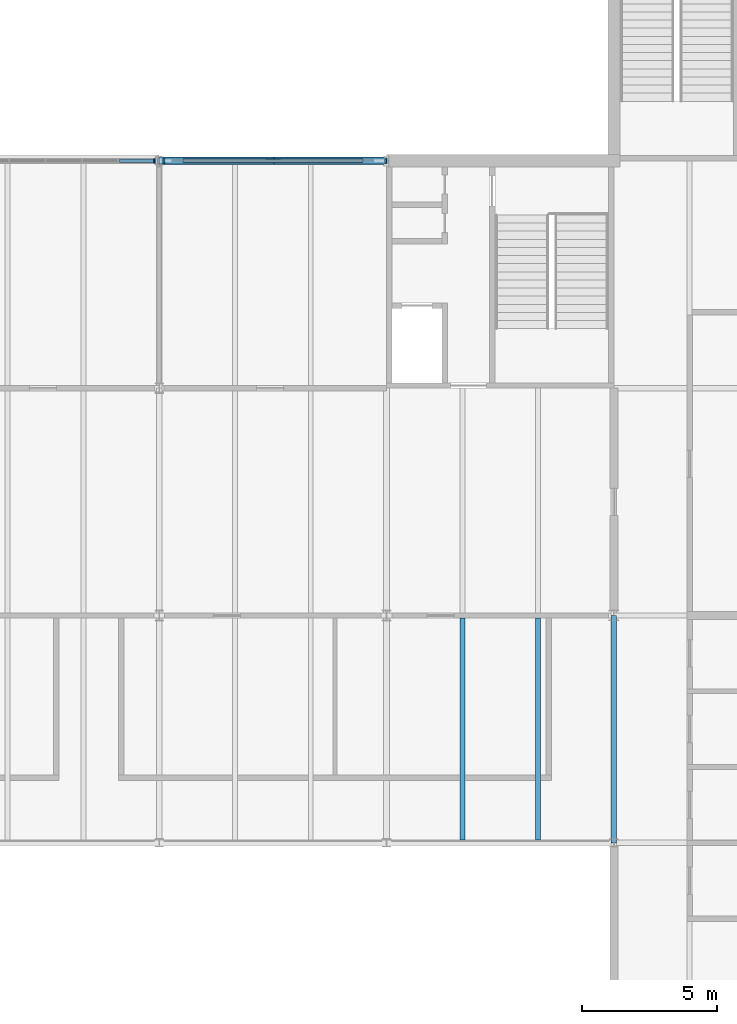
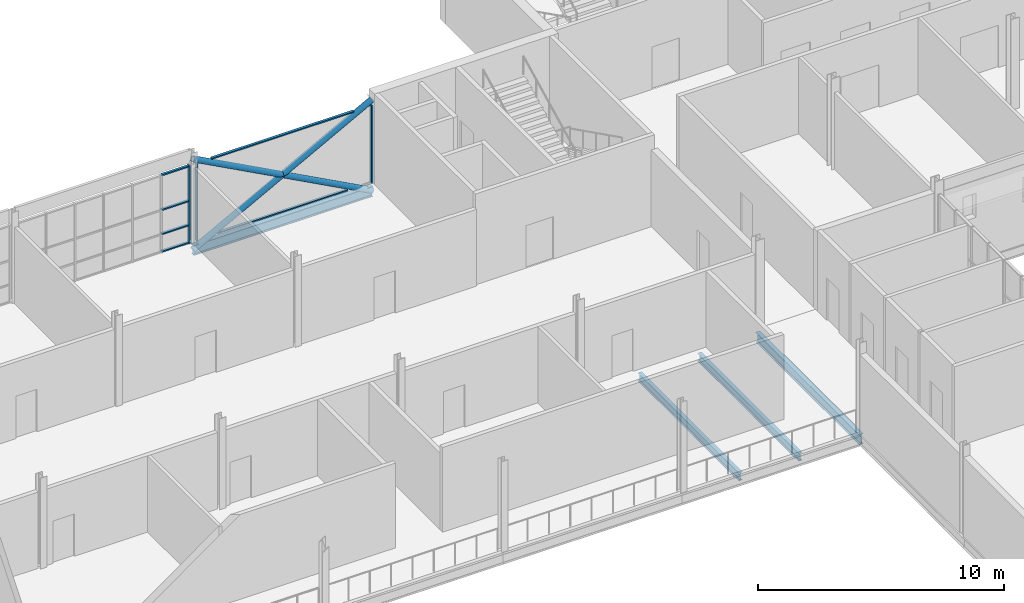
# One storey, part 52 of 129: 12 members, 4 beams, 2 elements without a shape of their own.
"""IFC4 building model written with IfcOpenShell, lengths in metres."""

from ifc_helpers import new_model, si_unit, direction, frame, origin, origin_2d, place, context, subcontext, project, spatial, rectangle, hollow_circle, i_section, extrude, material, layer, layer_set, material_profile, profile_set, type_object, element, aggregate, save


model = new_model("IFC4")

# Units and contexts
model_context = context("Model", 3, precision=1e-05, world=origin(), true_north=direction((0.0, 1.0)))
body_context = subcontext(model_context, "Body", "Model", "MODEL_VIEW")
ifc_project = project(units=[si_unit("LENGTHUNIT", "METRE"), si_unit("AREAUNIT", "SQUARE_METRE"), si_unit("VOLUMEUNIT", "CUBIC_METRE"), si_unit("PLANEANGLEUNIT", "RADIAN"), si_unit("MASSUNIT", "GRAM", prefix="KILO")], contexts=[model_context])

# Site, building, storey
site_placement = place(None, origin())
site = spatial("IfcSite", under=ifc_project, at=site_placement, CompositionType="ELEMENT")
building_placement = place(site_placement, origin())
building = spatial("IfcBuilding", under=site, at=building_placement, Name="Ardhachandra Cancer Care Centre", CompositionType="ELEMENT")
storey_placement = place(building_placement, frame((0.0, 0.0, 4.5)))
storey = spatial("IfcBuildingStorey", under=building, at=storey_placement, Name="L01", CompositionType="ELEMENT", Elevation=4.5)

# Beams
ifc_material_1 = material(Name="Steel E350 (IS 2062)", Category="steel")
ifc_material_profile_1 = material_profile(ifc_material_1, i_section(OverallWidth=0.179931640625, OverallDepth=0.39990234375, WebThickness=0.008544921875, FlangeThickness=0.013427734375, FilletRadius=0.02099609375, at=origin_2d()), Name="NPB 400x180x66.30")
ifc_profile_set_1 = profile_set([ifc_material_profile_1], Name="Steel E350 (IS 2062)")
beam_type_1 = type_object("IfcBeamType", Name="Beam NPB 400x180x66.30", PredefinedType="BEAM", material=ifc_profile_set_1)
for number, where, z_axis, x_axis, name in (
    (1, (106.0, 71.5, -0.35009765625), (0.0, 1.0, 0.0), (-1.0, 0.0, 0.0), "Secondary H12-J12@2800"),
    (2, (108.800048828125, 71.5, -0.35009765625), (0.0, 1.0, 0.0), (-1.0, 0.0, 0.0), "Secondary H12-J12@5600"),
):
    element("IfcBeam", number, at=place(storey_placement, frame(where, z_axis=z_axis, x_axis=x_axis)), inside=storey, type_object=beam_type_1, Name=name, PredefinedType="BEAM", context=body_context, shape_type="SweptSolid", body=[
        extrude(i_section(OverallWidth=0.179931640625, OverallDepth=0.39990234375, WebThickness=0.008544921875, FlangeThickness=0.013427734375, FilletRadius=0.02099609375, at=origin_2d()), origin(), (0.0, 0.0, 1.0), 8.199951171875),
    ])
ifc_material_2 = material(Name="Steel E350 (IS 2062)", Category="steel")
ifc_material_profile_2 = material_profile(ifc_material_2, i_section(OverallWidth=0.199951171875, OverallDepth=0.5, WebThickness=0.01025390625, FlangeThickness=0.01611328125, FilletRadius=0.02099609375, at=origin_2d()), Name="NPB 500x200x90.68")
ifc_profile_set_2 = profile_set([ifc_material_profile_2], Name="Steel E350 (IS 2062)")
beam_type_2 = type_object("IfcBeamType", Name="Beam NPB 500x200x90.68", PredefinedType="BEAM", material=ifc_profile_set_2)
beam_1_placement = place(storey_placement, frame((94.800048828125, 96.60009765625, -0.39990234375), z_axis=(1.0, 0.0, 0.0), x_axis=(0.0, 1.0, 0.0)))
element("IfcBeam", 3, at=beam_1_placement, inside=storey, type_object=beam_type_2, Name="Edge girder L11-L12", PredefinedType="BEAM", context=body_context, shape_type="SweptSolid", body=[
    extrude(i_section(OverallWidth=0.199951171875, OverallDepth=0.5, WebThickness=0.01025390625, FlangeThickness=0.01611328125, FilletRadius=0.02099609375, at=origin_2d()), origin(), (0.0, 0.0, 1.0), 8.39990234375),
])
beam_2_placement = place(storey_placement, frame((111.60009765625, 71.39990234375, -0.39990234375), z_axis=(0.0, 1.0, 0.0), x_axis=(-1.0, 0.0, 0.0)))
element("IfcBeam", 4, at=beam_2_placement, inside=storey, type_object=beam_type_2, Name="Edge girder H13-J13", PredefinedType="BEAM", context=body_context, shape_type="SweptSolid", body=[
    extrude(i_section(OverallWidth=0.199951171875, OverallDepth=0.5, WebThickness=0.01025390625, FlangeThickness=0.01611328125, FilletRadius=0.02099609375, at=origin_2d()), origin(), (0.0, 0.0, 1.0), 8.400146484375),
])

# Members
ifc_material_3 = material(Name="Steel E350 (IS 2062)", Category="steel")
ifc_material_profile_3 = material_profile(ifc_material_3, hollow_circle(Radius=0.136474609375, WallThickness=0.010009765625, at=origin_2d()), Name="CHS 273x10.0")
ifc_profile_set_3 = profile_set([ifc_material_profile_3], Name="Steel E350 (IS 2062)")
member_type_1 = type_object("IfcMemberType", Name="Brace CHS 273x10.0", PredefinedType="BRACE", material=ifc_profile_set_3)
member_1_placement = place(storey_placement, frame((94.800048828125, 96.60009765625, -0.39990234375), z_axis=(0.881477684796, 0.0, 0.472225678258), x_axis=(0.0, 1.0, 0.0)))
element("IfcMember", 5, at=member_1_placement, inside=storey, type_object=member_type_1, Name="Brace V1-X966-948 L01 A", PredefinedType="BRACE", context=body_context, shape_type="SweptSolid", body=[
    extrude(hollow_circle(Radius=0.136474609375, WallThickness=0.010009765625, at=origin_2d()), origin(), (0.0, 0.0, 1.0), 9.529296875),
])
for number, where, z_axis, x_axis, name in (
    (6, (103.199951171875, 96.60009765625, -0.39990234375), (-0.881477684796, 0.0, 0.472225678258), (0.0, -1.0, 0.0), "Brace V1-X966-948 L01 B1"),
    (7, (99.0, 96.60009765625, 1.85009765625), (-0.881477684796, 0.0, 0.472225678258), (0.0, -1.0, 0.0), "Brace V1-X966-948 L01 B2"),
):
    element("IfcMember", number, at=place(storey_placement, frame(where, z_axis=z_axis, x_axis=x_axis)), inside=storey, type_object=member_type_1, Name=name, PredefinedType="BRACE", context=body_context, shape_type="SweptSolid", body=[
        extrude(hollow_circle(Radius=0.136474609375, WallThickness=0.010009765625, at=origin_2d()), origin(), (0.0, 0.0, 1.0), 4.7646484375),
    ])

# Curtain wall, member
ifc_material_4 = material(Name="Aluminium extrusion", Category="aluminium")
ifc_layer = layer(ifc_material_4, 0.14990234375)
ifc_layer_set = layer_set([ifc_layer], Name="Aluminium extrusion")
curtain_wall_type = type_object("IfcCurtainWallType", Name="Curtain wall run", PredefinedType="NOTDEFINED", material=ifc_layer_set)
curtain_wall_1_placement = place(storey_placement, origin())
curtain_wall_1 = element("IfcCurtainWall", 8, at=curtain_wall_1_placement, inside=storey, type_object=curtain_wall_type, Name="Curtain wall L01 n/0086400_0096600", PredefinedType="NOTDEFINED")
ifc_material_5 = material(Name="Aluminium extrusion", Category="aluminium")
ifc_material_profile_4 = material_profile(ifc_material_5, rectangle(XDim=0.159912109375, YDim=0.06005859375, at=origin_2d()), Name="Curtain wall mullion 60 x 160")
ifc_profile_set_4 = profile_set([ifc_material_profile_4], Name="Aluminium extrusion")
member_type_2 = type_object("IfcMemberType", Name="Curtain wall mullion 60 x 160", PredefinedType="MULLION", material=ifc_profile_set_4)
member_2_placement = place(storey_placement, frame((94.6201171875, 96.60009765625, 0.0), z_axis=(0.0, 0.0, 1.0), x_axis=(0.0, 1.0, 0.0)))
member_2 = element("IfcMember", 9, at=member_2_placement, type_object=member_type_2, Name="CW mullion 7", PredefinedType="MULLION", context=body_context, shape_type="SweptSolid", body=[
    extrude(rectangle(XDim=0.159912109375, YDim=0.06005859375, at=origin_2d()), origin(), (0.0, 0.0, 1.0), 3.85009765625),
])

# Curtain wall, members
curtain_wall_2_placement = place(storey_placement, origin())
curtain_wall_2 = element("IfcCurtainWall", 10, at=curtain_wall_2_placement, inside=storey, type_object=curtain_wall_type, Name="Curtain wall L01 n/0094800_0096600", PredefinedType="NOTDEFINED")
member_3_placement = place(storey_placement, frame((94.97998046875, 96.60009765625, 0.0), z_axis=(0.0, 0.0, 1.0), x_axis=(0.0, 1.0, 0.0)))
member_3 = element("IfcMember", 11, at=member_3_placement, type_object=member_type_2, Name="CW mullion 1", PredefinedType="MULLION", context=body_context, shape_type="SweptSolid", body=[
    extrude(rectangle(XDim=0.159912109375, YDim=0.06005859375, at=origin_2d()), origin(), (0.0, 0.0, 1.0), 3.8310546875),
])
member_4_placement = place(storey_placement, frame((103.169921875, 96.60009765625, 0.0), z_axis=(0.0, 0.0, 1.0), x_axis=(0.0, 1.0, 0.0)))
member_4 = element("IfcMember", 12, at=member_4_placement, type_object=member_type_2, Name="CW mullion 2", PredefinedType="MULLION", context=body_context, shape_type="SweptSolid", body=[
    extrude(rectangle(XDim=0.159912109375, YDim=0.06005859375, at=origin_2d()), origin(), (0.0, 0.0, 1.0), 3.85009765625),
])

# Member
ifc_material_6 = material(Name="Aluminium extrusion", Category="aluminium")
ifc_material_profile_5 = material_profile(ifc_material_6, rectangle(XDim=0.1201171875, YDim=0.06005859375, at=origin_2d()), Name="Curtain wall transom 60 x 120")
ifc_profile_set_5 = profile_set([ifc_material_profile_5], Name="Aluminium extrusion")
member_type_3 = type_object("IfcMemberType", Name="Curtain wall transom 60 x 120", PredefinedType="USERDEFINED", material=ifc_profile_set_5)
member_5_placement = place(storey_placement, frame((93.330078125, 96.60009765625, 0.030029296875), z_axis=(1.0, 0.0, 0.0), x_axis=(0.0, 1.0, 0.0)))
member_5 = element("IfcMember", 13, at=member_5_placement, type_object=member_type_3, Name="CW transom 6.1", ObjectType="TRANSOM", PredefinedType="USERDEFINED", context=body_context, shape_type="SweptSolid", body=[
    extrude(rectangle(XDim=0.1201171875, YDim=0.06005859375, at=origin_2d()), origin(), (0.0, 0.0, 1.0), 1.260009765625),
])

member_6_placement = place(storey_placement, frame((93.330078125, 96.60009765625, 0.89990234375), z_axis=(1.0, 0.0, 0.0), x_axis=(0.0, 1.0, 0.0)))
member_6 = element("IfcMember", 14, at=member_6_placement, type_object=member_type_3, Name="CW transom 6.2", ObjectType="TRANSOM", PredefinedType="USERDEFINED", context=body_context, shape_type="SweptSolid", body=[
    extrude(rectangle(XDim=0.1201171875, YDim=0.06005859375, at=origin_2d()), origin(), (0.0, 0.0, 1.0), 1.260009765625),
])

member_7_placement = place(storey_placement, frame((93.330078125, 96.60009765625, 2.10009765625), z_axis=(1.0, 0.0, 0.0), x_axis=(0.0, 1.0, 0.0)))
member_7 = element("IfcMember", 15, at=member_7_placement, type_object=member_type_3, Name="CW transom 6.3", ObjectType="TRANSOM", PredefinedType="USERDEFINED", context=body_context, shape_type="SweptSolid", body=[
    extrude(rectangle(XDim=0.1201171875, YDim=0.06005859375, at=origin_2d()), origin(), (0.0, 0.0, 1.0), 1.260009765625),
])

member_8_placement = place(storey_placement, frame((93.330078125, 96.60009765625, 3.820068359375), z_axis=(1.0, 0.0, 0.0), x_axis=(0.0, 1.0, 0.0)))
member_8 = element("IfcMember", 16, at=member_8_placement, type_object=member_type_3, Name="CW transom 6.4", ObjectType="TRANSOM", PredefinedType="USERDEFINED", context=body_context, shape_type="SweptSolid", body=[
    extrude(rectangle(XDim=0.1201171875, YDim=0.06005859375, at=origin_2d()), origin(), (0.0, 0.0, 1.0), 1.260009765625),
])

aggregate(curtain_wall_1, [member_2, member_5, member_6, member_7, member_8])

member_9_placement = place(storey_placement, frame((95.950927734375, 96.60009765625, 0.030029296875), z_axis=(1.0, 0.0, 0.0), x_axis=(0.0, 1.0, 0.0)))
member_9 = element("IfcMember", 17, at=member_9_placement, type_object=member_type_3, Name="CW transom 1.1", ObjectType="TRANSOM", PredefinedType="USERDEFINED", context=body_context, shape_type="SweptSolid", body=[
    extrude(rectangle(XDim=0.1201171875, YDim=0.06005859375, at=origin_2d()), origin(), (0.0, 0.0, 1.0), 6.09912109375),
])

member_10_placement = place(storey_placement, frame((95.669921875, 96.60009765625, 3.820068359375), z_axis=(1.0, 0.0, 0.0), x_axis=(0.0, 1.0, 0.0)))
member_10 = element("IfcMember", 18, at=member_10_placement, type_object=member_type_3, Name="CW transom 1.2", ObjectType="TRANSOM", PredefinedType="USERDEFINED", context=body_context, shape_type="SweptSolid", body=[
    extrude(rectangle(XDim=0.1201171875, YDim=0.06005859375, at=origin_2d()), origin(), (0.0, 0.0, 1.0), 6.66015625),
])

aggregate(curtain_wall_2, [member_3, member_4, member_9, member_10])

save(model, "model.ifc")
